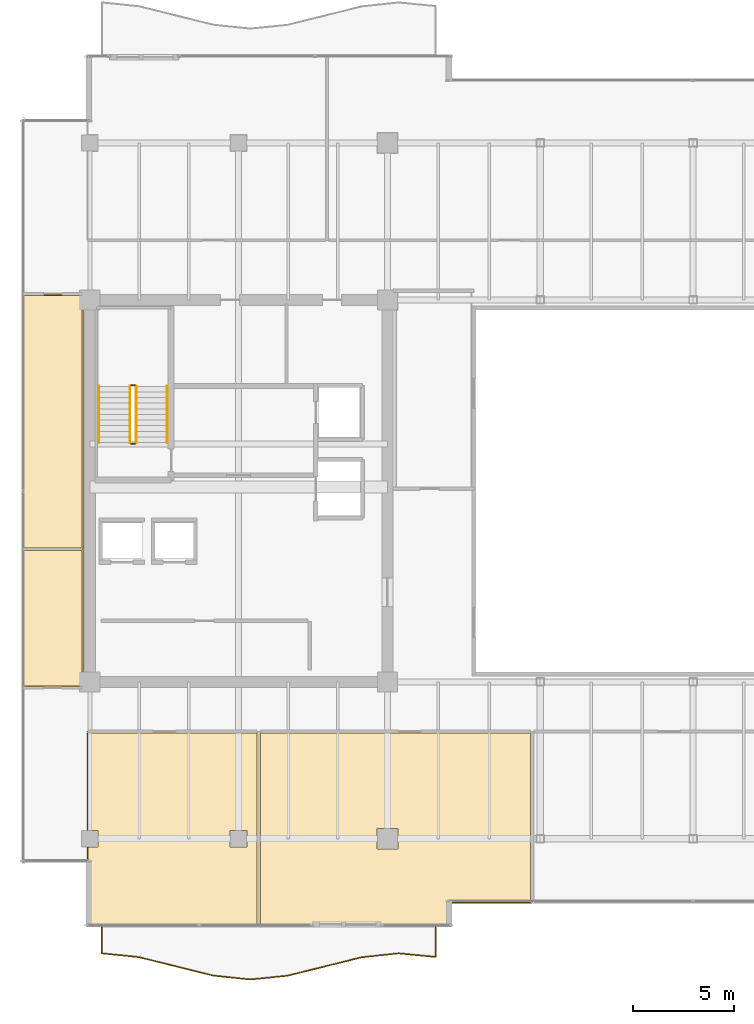
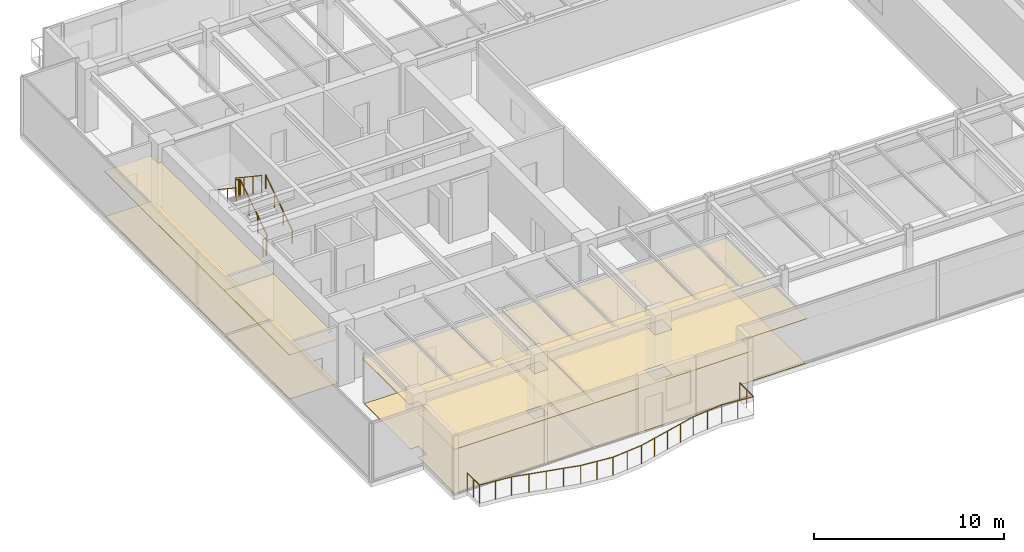
# One storey, part 32 of 35: 8 coverings, 7 railings.
"""IFC4 building model written with IfcOpenShell, lengths in metres."""

from ifc_helpers import new_model, si_unit, direction, frame, origin, origin_2d, place, context, subcontext, project, spatial, polyline, circle, outline, extrude, source, transform, mapped, material, layer, layer_set, type_object, type_shapes, element, save


model = new_model("IFC4")

# Units and contexts
model_context = context("Model", 3, precision=1e-05, world=origin(), true_north=direction((0.0, 1.0)))
body_context = subcontext(model_context, "Body", "Model", "MODEL_VIEW")
ifc_project = project(units=[si_unit("LENGTHUNIT", "METRE"), si_unit("AREAUNIT", "SQUARE_METRE"), si_unit("VOLUMEUNIT", "CUBIC_METRE"), si_unit("PLANEANGLEUNIT", "RADIAN"), si_unit("MASSUNIT", "GRAM", prefix="KILO")], contexts=[model_context])

# Site, building, storey
site_placement = place(None, origin())
site = spatial("IfcSite", under=ifc_project, at=site_placement, CompositionType="ELEMENT")
building_placement = place(site_placement, origin())
building = spatial("IfcBuilding", under=site, at=building_placement, Name="Haelvirn Gate Laboratories", CompositionType="ELEMENT")
storey_placement = place(building_placement, frame((0.0, 0.0, 283.39990234375)))
storey = spatial("IfcBuildingStorey", under=building, at=storey_placement, Name="L68", CompositionType="ELEMENT", Elevation=283.39990234375)

# Coverings
ifc_material_1 = material(Name="Micro-perforated acoustic mineral-fibre laboratory ceiling")
ifc_layer_1 = layer(ifc_material_1, 0.0400390625, Name="COV-CEIL-ACT")
ifc_layer_set_1 = layer_set([ifc_layer_1], Name="Micro-perforated acoustic mineral-fibre laboratory ceiling")
covering_type_1 = type_object("IfcCoveringType", Name="COV-CEIL-ACT", PredefinedType="CEILING", material=ifc_layer_set_1)
covering_1_placement = place(storey_placement, frame((0.0, 0.0, 2.880126953125)))
element("IfcCovering", 1, at=covering_1_placement, inside=storey, type_object=covering_type_1, Name="L68 Laboratory Acoustic Ceiling CEIL-SP-L68-S-01", PredefinedType="CEILING", context=body_context, shape_type="SweptSolid", body=[
    extrude(outline(polyline([(7.25, 6.580078125), (7.820068359375, 6.580078125), (7.820068359375, 7.419921875), (7.25, 7.419921875), (7.25, 12.330078125), (15.780029296875, 12.330078125), (15.780029296875, 2.64990234375), (7.25, 2.64990234375), (7.25, 6.580078125)]), holes=[polyline([(14.3798828125, 7.419921875), (14.3798828125, 6.580078125), (15.219970703125, 6.580078125), (15.219970703125, 7.419921875), (14.3798828125, 7.419921875)])]), origin(), (0.0, 0.0, 1.0), 0.0400390625),
])
covering_2_placement = place(storey_placement, frame((0.0, 0.0, 2.880126953125)))
element("IfcCovering", 2, at=covering_2_placement, inside=storey, type_object=covering_type_1, Name="L68 Laboratory Acoustic Ceiling CEIL-SP-L68-S-02", PredefinedType="CEILING", context=body_context, shape_type="SweptSolid", body=[
    extrude(outline(polyline([(25.419921875, 2.64990234375), (15.820068359375, 2.64990234375), (15.820068359375, 12.330078125), (29.3798828125, 12.330078125), (29.3798828125, 3.780029296875), (25.419921875, 3.780029296875), (25.419921875, 2.64990234375)]), holes=[polyline([(22.719970703125, 7.52001953125), (21.679931640625, 7.52001953125), (21.679931640625, 6.47998046875), (22.719970703125, 6.47998046875), (22.719970703125, 7.52001953125)])]), origin(), (0.0, 0.0, 1.0), 0.0400390625),
])
covering_3_placement = place(storey_placement, frame((0.0, 0.0, 2.880126953125)))
element("IfcCovering", 3, at=covering_3_placement, inside=storey, type_object=covering_type_1, Name="L68 Laboratory Acoustic Ceiling CEIL-SP-L68-WZ3-S", PredefinedType="CEILING", context=body_context, shape_type="SweptSolid", body=[
    extrude(outline(polyline([(7.080078125, 21.389892578125), (7.080078125, 15.320068359375), (6.8798828125, 15.320068359375), (6.8798828125, 14.52490234375), (4.050048828125, 14.52490234375), (4.050048828125, 21.389892578125), (7.080078125, 21.389892578125)])), origin(), (0.0, 0.0, 1.0), 0.0400390625),
])
covering_4_placement = place(storey_placement, frame((0.0, 0.0, 2.880126953125)))
element("IfcCovering", 4, at=covering_4_placement, inside=storey, type_object=covering_type_1, Name="L68 Laboratory Acoustic Ceiling CEIL-SP-L68-WZ3-N", PredefinedType="CEILING", context=body_context, shape_type="SweptSolid", body=[
    extrude(outline(polyline([(6.8798828125, 34.074951171875), (6.8798828125, 33.280029296875), (7.080078125, 33.280029296875), (7.080078125, 21.409912109375), (4.050048828125, 21.409912109375), (4.050048828125, 34.074951171875), (6.8798828125, 34.074951171875)])), origin(), (0.0, 0.0, 1.0), 0.0400390625),
])
ifc_material_2 = material(Name="Seamless chemical-resistant epoxy laboratory flooring")
ifc_layer_2 = layer(ifc_material_2, 0.01806640625, Name="COV-FLR-RESIN")
ifc_layer_set_2 = layer_set([ifc_layer_2], Name="Seamless chemical-resistant epoxy laboratory flooring")
covering_type_2 = type_object("IfcCoveringType", Name="COV-FLR-RESIN", PredefinedType="FLOORING", material=ifc_layer_set_2)
covering_5_placement = place(storey_placement, origin())
element("IfcCovering", 5, at=covering_5_placement, inside=storey, type_object=covering_type_2, Name="L68 Seamless Laboratory Flooring FLR-SP-L68-S-01", PredefinedType="FLOORING", context=body_context, shape_type="SweptSolid", body=[
    extrude(outline(polyline([(15.719970703125, 2.7099609375), (7.31005859375, 2.7099609375), (7.31005859375, 6.580078125), (7.820068359375, 6.580078125), (7.820068359375, 7.419921875), (7.31005859375, 7.419921875), (7.31005859375, 12.27001953125), (15.719970703125, 12.27001953125), (15.719970703125, 2.7099609375)]), holes=[polyline([(14.3798828125, 6.580078125), (15.219970703125, 6.580078125), (15.219970703125, 7.419921875), (14.3798828125, 7.419921875), (14.3798828125, 6.580078125)])]), origin(), (0.0, 0.0, 1.0), 0.01806640625),
])
covering_6_placement = place(storey_placement, origin())
element("IfcCovering", 6, at=covering_6_placement, inside=storey, type_object=covering_type_2, Name="L68 Seamless Laboratory Flooring FLR-SP-L68-S-02", PredefinedType="FLOORING", context=body_context, shape_type="SweptSolid", body=[
    extrude(outline(polyline([(29.320068359375, 12.27001953125), (29.320068359375, 3.840087890625), (25.39990234375, 3.840087890625), (25.39599609375, 3.83984375), (25.39208984375, 3.839111328125), (25.388427734375, 3.83837890625), (25.384765625, 3.8369140625), (25.381103515625, 3.835205078125), (25.377685546875, 3.833251953125), (25.37451171875, 3.830810546875), (25.37158203125, 3.828369140625), (25.369140625, 3.825439453125), (25.36669921875, 3.822265625), (25.36474609375, 3.81884765625), (25.363037109375, 3.815185546875), (25.36181640625, 3.8115234375), (25.36083984375, 3.807861328125), (25.360107421875, 3.803955078125), (25.360107421875, 3.800048828125), (25.360107421875, 2.7099609375), (15.8798828125, 2.7099609375), (15.8798828125, 12.27001953125), (29.320068359375, 12.27001953125)]), holes=[polyline([(21.679931640625, 7.52001953125), (21.679931640625, 6.47998046875), (22.719970703125, 6.47998046875), (22.719970703125, 7.52001953125), (21.679931640625, 7.52001953125)])]), origin(), (0.0, 0.0, 1.0), 0.01806640625),
])
covering_7_placement = place(storey_placement, origin())
element("IfcCovering", 7, at=covering_7_placement, inside=storey, type_object=covering_type_2, Name="L68 Seamless Laboratory Flooring FLR-SP-L68-WZ3-S", PredefinedType="FLOORING", context=body_context, shape_type="SweptSolid", body=[
    extrude(outline(polyline([(4.110107421875, 21.330078125), (7.02001953125, 21.330078125), (7.02001953125, 14.5849609375), (4.110107421875, 14.5849609375), (4.110107421875, 21.330078125)])), origin(), (0.0, 0.0, 1.0), 0.01806640625),
])
covering_8_placement = place(storey_placement, origin())
element("IfcCovering", 8, at=covering_8_placement, inside=storey, type_object=covering_type_2, Name="L68 Seamless Laboratory Flooring FLR-SP-L68-WZ3-N", PredefinedType="FLOORING", context=body_context, shape_type="SweptSolid", body=[
    extrude(outline(polyline([(4.110107421875, 34.014892578125), (7.02001953125, 34.014892578125), (7.02001953125, 21.469970703125), (4.110107421875, 21.469970703125), (4.110107421875, 34.014892578125)])), origin(), (0.0, 0.0, 1.0), 0.01806640625),
])

# Railings
ifc_material_3 = material(Name="Laminated safety glass & bronze stainless steel 316L", Category="steel")
railing_type_1 = type_object("IfcRailingType", Name="RLG-BAL-1200", PredefinedType="BALUSTRADE", material=ifc_material_3)
shared_shape_1 = source(origin(), body_context, "Body", "SweptSolid", [
    extrude(circle(Radius=0.02392578125, at=origin_2d()), frame((0.0, 0.0, 1.17578125), z_axis=(0.0, -1.0, 0.0), x_axis=(1.0, 0.0, 0.0)), (0.0, 0.0, 1.0), 1.300048828125),
    extrude(circle(Radius=0.02392578125, at=origin_2d()), frame((0.0, -1.300048828125, 1.17578125), z_axis=(0.994766350385, -0.102175868683, 0.0), x_axis=(0.102175868683, 0.994766350385, 0.0)), (0.0, 0.0, 1.0), 1.854248046875),
    extrude(circle(Radius=0.02392578125, at=origin_2d()), frame((1.844482421875, -1.489501953125, 1.17578125), z_axis=(0.970586725412, -0.240751756906, 0.0), x_axis=(0.240751756906, 0.970586725412, 0.0)), (0.0, 0.0, 1.0), 1.900390625),
    extrude(circle(Radius=0.02392578125, at=origin_2d()), frame((3.68896484375, -1.947021484375, 1.17578125), z_axis=(0.970338640352, -0.241749711562, 0.0), x_axis=(0.241749711562, 0.970338640352, 0.0)), (0.0, 0.0, 1.0), 1.900634765625),
    extrude(circle(Radius=0.02392578125, at=origin_2d()), frame((5.533203125, -2.406494140625, 1.17578125), z_axis=(0.994536425701, -0.104390123836, 0.0), x_axis=(0.104390123836, 0.994536425701, 0.0)), (0.0, 0.0, 1.0), 1.854736328125),
    extrude(circle(Radius=0.02392578125, at=origin_2d()), frame((7.377685546875, -2.60009765625, 1.17578125), z_axis=(0.995004537437, 0.099829707396, 0.0), x_axis=(-0.099829707396, 0.995004537437, 0.0)), (0.0, 0.0, 1.0), 1.853759765625),
    extrude(circle(Radius=0.02392578125, at=origin_2d()), frame((9.22216796875, -2.4150390625, 1.17578125), z_axis=(0.970796537576, 0.239904319742, 0.0), x_axis=(-0.239904319742, 0.970796537576, 0.0)), (0.0, 0.0, 1.0), 1.89990234375),
    extrude(circle(Radius=0.02392578125, at=origin_2d()), frame((11.066650390625, -1.959228515625, 1.17578125), z_axis=(0.970134946166, 0.242565838955, 0.0), x_axis=(-0.242565838955, 0.970134946166, 0.0)), (0.0, 0.0, 1.0), 1.9013671875),
    extrude(circle(Radius=0.02392578125, at=origin_2d()), frame((12.9111328125, -1.498046875, 1.17578125), z_axis=(0.994301683155, 0.106602827711, 0.0), x_axis=(-0.106602827711, 0.994301683155, 0.0)), (0.0, 0.0, 1.0), 1.85498046875),
    extrude(circle(Radius=0.02392578125, at=origin_2d()), frame((14.755615234375, -1.30029296875, 1.17578125), z_axis=(0.995250071858, -0.097351396837, 0.0), x_axis=(0.097351396837, 0.995250071858, 0.0)), (0.0, 0.0, 1.0), 1.853271484375),
    extrude(circle(Radius=0.02392578125, at=origin_2d()), frame((16.60009765625, -1.480712890625, 1.17578125), z_axis=(0.0, 1.0, 0.0), x_axis=(-1.0, 0.0, 0.0)), (0.0, 0.0, 1.0), 1.480712890625),
    extrude(circle(Radius=0.02099609375, at=origin_2d()), origin(), (0.0, 0.0, 1.0), 1.15185546875),
    extrude(circle(Radius=0.02099609375, at=origin_2d()), frame((0.0, -0.64990234375, 0.0)), (0.0, 0.0, 1.0), 1.15185546875),
    extrude(circle(Radius=0.02099609375, at=origin_2d()), frame((0.0, -1.300048828125, 0.0)), (0.0, 0.0, 1.0), 1.15185546875),
    extrude(circle(Radius=0.02099609375, at=origin_2d()), frame((0.92236328125, -1.394775390625, 0.0)), (0.0, 0.0, 1.0), 1.15185546875),
    extrude(circle(Radius=0.02099609375, at=origin_2d()), frame((1.844482421875, -1.489501953125, 0.0)), (0.0, 0.0, 1.0), 1.15185546875),
    extrude(circle(Radius=0.02099609375, at=origin_2d()), frame((2.7666015625, -1.71826171875, 0.0)), (0.0, 0.0, 1.0), 1.15185546875),
    extrude(circle(Radius=0.02099609375, at=origin_2d()), frame((3.68896484375, -1.947021484375, 0.0)), (0.0, 0.0, 1.0), 1.15185546875),
    extrude(circle(Radius=0.02099609375, at=origin_2d()), frame((4.611083984375, -2.1767578125, 0.0)), (0.0, 0.0, 1.0), 1.15185546875),
    extrude(circle(Radius=0.02099609375, at=origin_2d()), frame((5.533203125, -2.406494140625, 0.0)), (0.0, 0.0, 1.0), 1.15185546875),
    extrude(circle(Radius=0.02099609375, at=origin_2d()), frame((6.45556640625, -2.50341796875, 0.0)), (0.0, 0.0, 1.0), 1.15185546875),
    extrude(circle(Radius=0.02099609375, at=origin_2d()), frame((7.377685546875, -2.60009765625, 0.0)), (0.0, 0.0, 1.0), 1.15185546875),
    extrude(circle(Radius=0.02099609375, at=origin_2d()), frame((8.2998046875, -2.507568359375, 0.0)), (0.0, 0.0, 1.0), 1.15185546875),
    extrude(circle(Radius=0.02099609375, at=origin_2d()), frame((9.22216796875, -2.4150390625, 0.0)), (0.0, 0.0, 1.0), 1.15185546875),
    extrude(circle(Radius=0.02099609375, at=origin_2d()), frame((10.14453125, -2.18701171875, 0.0)), (0.0, 0.0, 1.0), 1.15185546875),
    extrude(circle(Radius=0.02099609375, at=origin_2d()), frame((11.066650390625, -1.959228515625, 0.0)), (0.0, 0.0, 1.0), 1.15185546875),
    extrude(circle(Radius=0.02099609375, at=origin_2d()), frame((11.98876953125, -1.728515625, 0.0)), (0.0, 0.0, 1.0), 1.15185546875),
    extrude(circle(Radius=0.02099609375, at=origin_2d()), frame((12.9111328125, -1.498046875, 0.0)), (0.0, 0.0, 1.0), 1.15185546875),
    extrude(circle(Radius=0.02099609375, at=origin_2d()), frame((13.83349609375, -1.399169921875, 0.0)), (0.0, 0.0, 1.0), 1.15185546875),
    extrude(circle(Radius=0.02099609375, at=origin_2d()), frame((14.755615234375, -1.30029296875, 0.0)), (0.0, 0.0, 1.0), 1.15185546875),
    extrude(circle(Radius=0.02099609375, at=origin_2d()), frame((15.677734375, -1.390625, 0.0)), (0.0, 0.0, 1.0), 1.15185546875),
    extrude(circle(Radius=0.02099609375, at=origin_2d()), frame((16.60009765625, -1.480712890625, 0.0)), (0.0, 0.0, 1.0), 1.15185546875),
    extrude(circle(Radius=0.02099609375, at=origin_2d()), frame((16.60009765625, -0.740234375, 0.0)), (0.0, 0.0, 1.0), 1.15185546875),
    extrude(circle(Radius=0.02099609375, at=origin_2d()), frame((16.60009765625, 0.0, 0.0)), (0.0, 0.0, 1.0), 1.15185546875),
])
type_shapes(railing_type_1, [shared_shape_1])
railing_1_placement = place(storey_placement, frame((8.0, 2.60009765625, 0.0)))
element("IfcRailing", 9, at=railing_1_placement, inside=storey, type_object=railing_type_1, Name="L68 Wave Balcony Balustrade WL-S", PredefinedType="BALUSTRADE", context=body_context, shape_type="MappedRepresentation", body=[
    mapped(shared_shape_1, transform((0.0, 0.0, 0.0), scale=1.0)),
])
ifc_material_4 = material(Name="Galvanised steel SM355 & stainless top rail", Category="steel")
railing_type_2 = type_object("IfcRailingType", Name="RL-GUARD-1150", PredefinedType="GUARDRAIL", material=ifc_material_4)
shared_shape_2 = source(origin(), body_context, "Body", "SweptSolid", [
    extrude(circle(Radius=0.02392578125, at=origin_2d()), frame((0.0, 0.0, 1.1259765625), z_axis=(-1.0, 0.0, 0.0), x_axis=(0.0, -1.0, 0.0)), (0.0, 0.0, 1.0), 0.199951171875),
    extrude(circle(Radius=0.02099609375, at=origin_2d()), origin(), (0.0, 0.0, 1.0), 1.101806640625),
    extrude(circle(Radius=0.02099609375, at=origin_2d()), frame((-0.199951171875, 0.0, 0.0)), (0.0, 0.0, 1.0), 1.101806640625),
])
for number, where, name in (
    (10, (9.64990234375, 29.550048828125, 2.050048828125), "L68 ST1 stair guard 2"),
    (11, (9.64990234375, 26.64990234375, 0.0), "L68 ST1 stair guard 4"),
):
    element("IfcRailing", number, at=place(storey_placement, frame(where)), inside=storey, type_object=railing_type_2, Name=name, PredefinedType="GUARDRAIL", context=body_context, shape_type="MappedRepresentation", body=[
        mapped(shared_shape_2, transform((0.0, 0.0, 0.0), scale=1.0)),
    ])
shared_shape_3 = source(origin(), body_context, "Body", "SweptSolid", [
    extrude(circle(Radius=0.02392578125, at=origin_2d()), frame((0.0, 0.0, 1.1259765625), z_axis=(0.0, 0.832485552168, 0.554046753832), x_axis=(-1.0, 0.0, 0.0)), (0.0, 0.0, 1.0), 3.363525390625),
    extrude(circle(Radius=0.02099609375, at=origin_2d()), origin(), (0.0, 0.0, 1.0), 1.101806640625),
    extrude(circle(Radius=0.02099609375, at=origin_2d()), frame((0.0, 0.933349609375, 0.62109375)), (0.0, 0.0, 1.0), 1.101806640625),
    extrude(circle(Radius=0.02099609375, at=origin_2d()), frame((0.0, 1.86669921875, 1.242431640625)), (0.0, 0.0, 1.0), 1.101806640625),
    extrude(circle(Radius=0.02099609375, at=origin_2d()), frame((0.0, 2.800048828125, 1.863525390625)), (0.0, 0.0, 1.0), 1.101806640625),
])
railing_2_placement = place(storey_placement, frame((9.699951171875, 26.699951171875, 0.1865234375)))
element("IfcRailing", 12, at=railing_2_placement, inside=storey, type_object=railing_type_2, Name="L68 ST1 stair guard 1", PredefinedType="GUARDRAIL", context=body_context, shape_type="MappedRepresentation", body=[
    mapped(shared_shape_3, transform((0.0, 0.0, 0.0), scale=1.0)),
])
ifc_material_5 = material(Name="Brushed stainless steel 316L", Category="steel")
railing_type_3 = type_object("IfcRailingType", Name="RL-HAND-920", PredefinedType="HANDRAIL", material=ifc_material_5)
shared_shape_4 = source(origin(), body_context, "Body", "SweptSolid", [
    extrude(circle(Radius=0.02392578125, at=origin_2d()), frame((0.0, 0.0, 0.8759765625), z_axis=(0.0, 0.832485552168, 0.554046753832), x_axis=(-1.0, 0.0, 0.0)), (0.0, 0.0, 1.0), 3.363525390625),
    extrude(circle(Radius=0.02099609375, at=origin_2d()), origin(), (0.0, 0.0, 1.0), 0.851806640625),
    extrude(circle(Radius=0.02099609375, at=origin_2d()), frame((0.0, 0.933349609375, 0.62109375)), (0.0, 0.0, 1.0), 0.851806640625),
    extrude(circle(Radius=0.02099609375, at=origin_2d()), frame((0.0, 1.86669921875, 1.242431640625)), (0.0, 0.0, 1.0), 0.851806640625),
    extrude(circle(Radius=0.02099609375, at=origin_2d()), frame((0.0, 2.800048828125, 1.863525390625)), (0.0, 0.0, 1.0), 0.851806640625),
])
railing_3_placement = place(storey_placement, frame((11.25, 26.699951171875, 0.1865234375)))
element("IfcRailing", 13, at=railing_3_placement, inside=storey, type_object=railing_type_3, Name="L68 ST1 stair handrail 1", PredefinedType="HANDRAIL", context=body_context, shape_type="MappedRepresentation", body=[
    mapped(shared_shape_4, transform((0.0, 0.0, 0.0), scale=1.0)),
])
shared_shape_5 = source(origin(), body_context, "Body", "SweptSolid", [
    extrude(circle(Radius=0.02392578125, at=origin_2d()), frame((0.0, 0.0, 1.1259765625), z_axis=(0.0, -0.832485552168, 0.554046753832), x_axis=(1.0, 0.0, 0.0)), (0.0, 0.0, 1.0), 3.363525390625),
    extrude(circle(Radius=0.02099609375, at=origin_2d()), origin(), (0.0, 0.0, 1.0), 1.101806640625),
    extrude(circle(Radius=0.02099609375, at=origin_2d()), frame((0.0, -0.933349609375, 0.62109375)), (0.0, 0.0, 1.0), 1.101806640625),
    extrude(circle(Radius=0.02099609375, at=origin_2d()), frame((0.0, -1.86669921875, 1.242431640625)), (0.0, 0.0, 1.0), 1.101806640625),
    extrude(circle(Radius=0.02099609375, at=origin_2d()), frame((0.0, -2.800048828125, 1.863525390625)), (0.0, 0.0, 1.0), 1.101806640625),
])
type_shapes(railing_type_2, [shared_shape_2, shared_shape_3, shared_shape_5])
railing_4_placement = place(storey_placement, frame((9.39990234375, 29.5, 2.236572265625)))
element("IfcRailing", 14, at=railing_4_placement, inside=storey, type_object=railing_type_2, Name="L68 ST1 stair guard 3", PredefinedType="GUARDRAIL", context=body_context, shape_type="MappedRepresentation", body=[
    mapped(shared_shape_5, transform((0.0, 0.0, 0.0), scale=1.0)),
])
shared_shape_6 = source(origin(), body_context, "Body", "SweptSolid", [
    extrude(circle(Radius=0.02392578125, at=origin_2d()), frame((0.0, 0.0, 0.8759765625), z_axis=(0.0, -0.832485552168, 0.554046753832), x_axis=(1.0, 0.0, 0.0)), (0.0, 0.0, 1.0), 3.363525390625),
    extrude(circle(Radius=0.02099609375, at=origin_2d()), origin(), (0.0, 0.0, 1.0), 0.851806640625),
    extrude(circle(Radius=0.02099609375, at=origin_2d()), frame((0.0, -0.933349609375, 0.62109375)), (0.0, 0.0, 1.0), 0.851806640625),
    extrude(circle(Radius=0.02099609375, at=origin_2d()), frame((0.0, -1.86669921875, 1.242431640625)), (0.0, 0.0, 1.0), 0.851806640625),
    extrude(circle(Radius=0.02099609375, at=origin_2d()), frame((0.0, -2.800048828125, 1.863525390625)), (0.0, 0.0, 1.0), 0.851806640625),
])
type_shapes(railing_type_3, [shared_shape_4, shared_shape_6])
railing_5_placement = place(storey_placement, frame((7.85009765625, 29.5, 2.236572265625)))
element("IfcRailing", 15, at=railing_5_placement, inside=storey, type_object=railing_type_3, Name="L68 ST1 stair handrail 2", PredefinedType="HANDRAIL", context=body_context, shape_type="MappedRepresentation", body=[
    mapped(shared_shape_6, transform((0.0, 0.0, 0.0), scale=1.0)),
])

save(model, "model.ifc")
